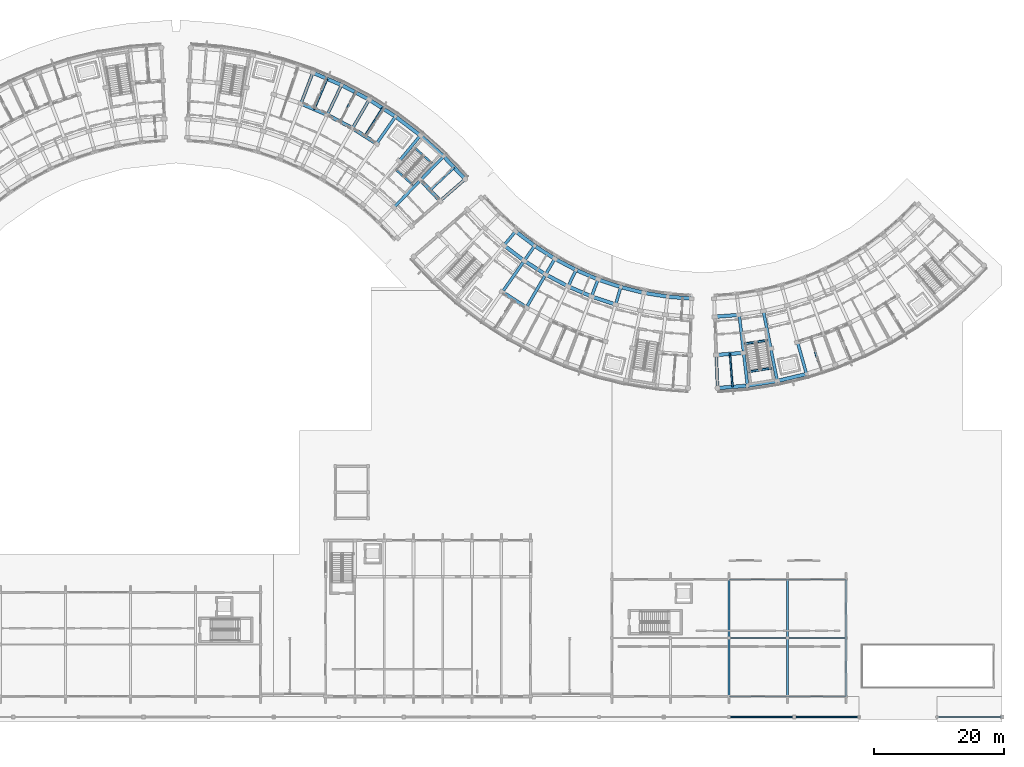
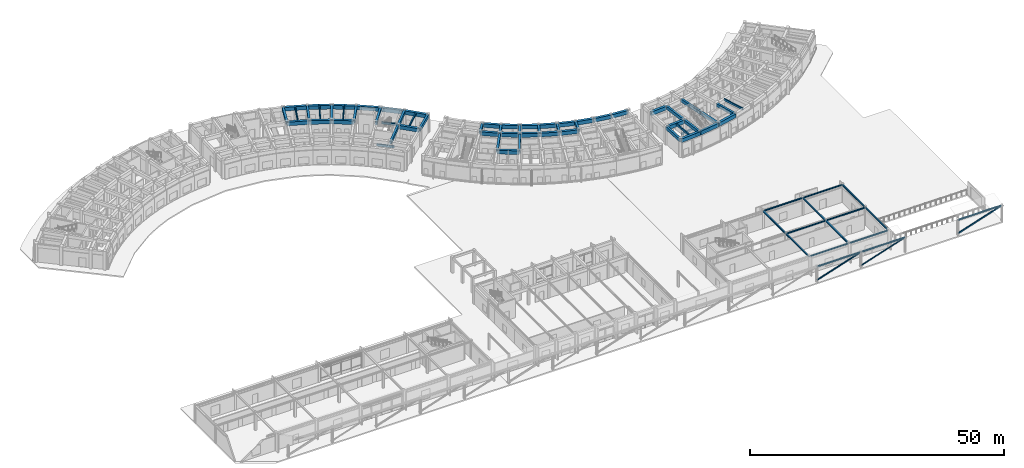
# One storey, part 18 of 61: 76 beams, 3 members.
"""IFC4 building model written with IfcOpenShell, lengths in metres."""

from ifc_helpers import new_model, si_unit, direction, frame, origin, origin_2d, place, context, subcontext, project, spatial, rectangle, hollow_rectangle, hollow_circle, i_section, extrude, material, material_profile, profile_set, type_object, element, save


model = new_model("IFC4")

# Units and contexts
model_context = context("Model", 3, precision=1e-05, world=origin(), true_north=direction((0.0, 1.0)))
body_context = subcontext(model_context, "Body", "Model", "MODEL_VIEW")
ifc_project = project(units=[si_unit("LENGTHUNIT", "METRE"), si_unit("AREAUNIT", "SQUARE_METRE"), si_unit("VOLUMEUNIT", "CUBIC_METRE"), si_unit("PLANEANGLEUNIT", "RADIAN"), si_unit("MASSUNIT", "GRAM", prefix="KILO")], contexts=[model_context])

# Site, building, storey
site_placement = place(None, origin())
site = spatial("IfcSite", under=ifc_project, at=site_placement, CompositionType="ELEMENT")
building_placement = place(site_placement, origin())
building = spatial("IfcBuilding", under=site, at=building_placement, Name="Zimvara Arc Housing Community", CompositionType="ELEMENT")
storey_placement = place(building_placement, origin())
storey = spatial("IfcBuildingStorey", under=building, at=storey_placement, Name="L00", CompositionType="ELEMENT", Elevation=0.0)

# Beams
ifc_material_1 = material(Name="Concrete C40/50", Category="concrete")
ifc_material_profile_1 = material_profile(ifc_material_1, rectangle(XDim=0.25, YDim=0.449951171875, at=origin_2d()), Name="RC 250x450")
ifc_profile_set_1 = profile_set([ifc_material_profile_1], Name="Concrete C40/50")
beam_type_1 = type_object("IfcBeamType", Name="BM-RC-250x450", PredefinedType="JOIST", material=ifc_profile_set_1)
beam_1_placement = place(storey_placement, frame((66.22802734375, 93.885986328125, 4.034912109375), z_axis=(0.394929109608, 0.918711596958, 0.0), x_axis=(-0.918711596958, 0.394929109608, 0.0)))
element("IfcBeam", 1, at=beam_1_placement, inside=storey, type_object=beam_type_1, Name="bm:blkB:L00:joist:b4", PredefinedType="JOIST", context=body_context, shape_type="SweptSolid", body=[
    extrude(rectangle(XDim=0.25, YDim=0.449951171875, at=origin_2d()), origin(), (0.0, 0.0, 1.0), 5.075927734375),
])
for number, where, z_axis, x_axis, name in (
    (2, (70.186767578125, 91.9892578125, 4.034912109375), (0.46853732736, 0.883443701019, 0.0), (-0.883443701019, 0.46853732736, 0.0), "bm:blkB:L00:joist:b5"),
    (3, (73.9775390625, 89.776123046875, 4.034912109375), (0.539052331508, 0.842272274206, 0.0), (-0.842272274206, 0.539052331508, 0.0), "bm:blkB:L00:joist:b6"),
):
    element("IfcBeam", number, at=place(storey_placement, frame(where, z_axis=z_axis, x_axis=x_axis)), inside=storey, type_object=beam_type_1, Name=name, PredefinedType="JOIST", context=body_context, shape_type="SweptSolid", body=[
        extrude(rectangle(XDim=0.25, YDim=0.449951171875, at=origin_2d()), origin(), (0.0, 0.0, 1.0), 5.07568359375),
    ])
beam_2_placement = place(storey_placement, frame((84.095703125, 81.3935546875, 4.034912109375), z_axis=(0.727299876429, 0.686319815936, 0.0), x_axis=(-0.686319815936, 0.727299876429, 0.0)))
element("IfcBeam", 4, at=beam_2_placement, inside=storey, type_object=beam_type_1, Name="bm:blkB:L00:joist:b9", PredefinedType="JOIST", context=body_context, shape_type="SweptSolid", body=[
    extrude(rectangle(XDim=0.25, YDim=0.449951171875, at=origin_2d()), origin(), (0.0, 0.0, 1.0), 5.075927734375),
])
beam_3_placement = place(storey_placement, frame((130.151123046875, 56.263427734375, 4.034912109375), z_axis=(0.077579175615, -0.996986194243, 0.0), x_axis=(0.996986194243, 0.077579175615, 0.0)))
element("IfcBeam", 5, at=beam_3_placement, inside=storey, type_object=beam_type_1, Name="bm:blkD:L00:joist:b0", PredefinedType="JOIST", context=body_context, shape_type="SweptSolid", body=[
    extrude(rectangle(XDim=0.25, YDim=0.449951171875, at=origin_2d()), origin(), (0.0, 0.0, 1.0), 5.076171875),
])
beam_4_placement = place(storey_placement, frame((142.547607421875, 58.718017578125, 4.034912109375), z_axis=(0.308208278328, -0.951318904033, 0.0), x_axis=(0.951318904033, 0.308208278328, 0.0)))
element("IfcBeam", 6, at=beam_4_placement, inside=storey, type_object=beam_type_1, Name="bm:blkD:L00:joist:b3", PredefinedType="JOIST", context=body_context, shape_type="SweptSolid", body=[
    extrude(rectangle(XDim=0.25, YDim=0.449951171875, at=origin_2d()), origin(), (0.0, 0.0, 1.0), 5.075927734375),
])
ifc_material_2 = material(Name="Concrete C40/50", Category="concrete")
ifc_material_profile_2 = material_profile(ifc_material_2, rectangle(XDim=0.300048828125, YDim=0.5, at=origin_2d()), Name="RC 300x500")
ifc_profile_set_2 = profile_set([ifc_material_profile_2], Name="Concrete C40/50")
beam_type_2 = type_object("IfcBeamType", Name="BM-RC-300x500", PredefinedType="BEAM", material=ifc_profile_set_2)
for number, where, z_axis, x_axis, name in (
    (7, (81.375732421875, 82.259033203125, -0.25), (-0.743362151162, 0.668889162881, 0.0), (-0.668889162881, -0.743362151162, 0.0), "bm:stair_trim:ST-B2:L00:near"),
    (8, (84.353515625, 85.568603515625, 2.0), (-0.743362151162, 0.668889162881, 0.0), (-0.668889162881, -0.743362151162, 0.0), "bm:stair_trim:ST-B2:L00:mid"),
    (9, (132.36865234375, 57.8203125, -0.25), (0.987823881982, 0.155576277709, 0.0), (-0.155576277709, 0.987823881982, 0.0), "bm:stair_trim:ST-D1:L00:near"),
    (10, (133.0439453125, 53.533203125, 2.0), (0.987823881982, 0.155576277709, 0.0), (-0.155576277709, 0.987823881982, 0.0), "bm:stair_trim:ST-D1:L00:mid"),
):
    element("IfcBeam", number, at=place(storey_placement, frame(where, z_axis=z_axis, x_axis=x_axis)), inside=storey, type_object=beam_type_2, Name=name, PredefinedType="BEAM", context=body_context, shape_type="SweptSolid", body=[
        extrude(rectangle(XDim=0.300048828125, YDim=0.5, at=origin_2d()), origin(), (0.0, 0.0, 1.0), 3.570068359375),
    ])
ifc_material_3 = material(Name="Concrete C40/50", Category="concrete")
ifc_material_profile_3 = material_profile(ifc_material_3, rectangle(XDim=0.449951171875, YDim=0.75, at=origin_2d()), Name="RC 450x750")
ifc_profile_set_3 = profile_set([ifc_material_profile_3], Name="Concrete C40/50")
beam_type_3 = type_object("IfcBeamType", Name="BM-RC-450x750", PredefinedType="BEAM", material=ifc_profile_set_3)
for number, where, z_axis, x_axis, name in (
    (11, (64.2099609375, 94.75341796875, 3.885009765625), (0.357078271386, 0.934074466038, 0.0), (-0.934074466038, 0.357078271386, 0.0), "bm:blkB:L00:rad:b4:r23"),
    (12, (68.24609375, 93.0185546875, 3.885009765625), (0.432098194978, 0.901826563091, 0.0), (-0.901826563091, 0.432098194978, 0.0), "bm:blkB:L00:rad:b5:r23"),
):
    element("IfcBeam", number, at=place(storey_placement, frame(where, z_axis=z_axis, x_axis=x_axis)), inside=storey, type_object=beam_type_3, Name=name, PredefinedType="BEAM", context=body_context, shape_type="SweptSolid", body=[
        extrude(rectangle(XDim=0.449951171875, YDim=0.75, at=origin_2d()), origin(), (0.0, 0.0, 1.0), 5.080078125),
    ])
beam_5_placement = place(storey_placement, frame((72.12744140625, 90.960205078125, 3.885009765625), z_axis=(0.504196701544, 0.863588840915, 0.0), x_axis=(-0.863588840915, 0.504196701544, 0.0)))
element("IfcBeam", 13, at=beam_5_placement, inside=storey, type_object=beam_type_3, Name="bm:blkB:L00:rad:b6:r23", PredefinedType="BEAM", context=body_context, shape_type="SweptSolid", body=[
    extrude(rectangle(XDim=0.449951171875, YDim=0.75, at=origin_2d()), origin(), (0.0, 0.0, 1.0), 5.079833984375),
])
for number, where, z_axis, x_axis, name in (
    (14, (75.82763671875, 88.591796875, 3.885009765625), (0.573007469479, 0.819550144848, 0.0), (-0.819550144848, 0.573007469479, 0.0), "bm:blkB:L00:rad:b7:r23"),
    (15, (79.322265625, 85.9296875, 3.885009765625), (0.637983669165, 0.77004989311, 0.0), (-0.77004989311, 0.637983669165, 0.0), "bm:blkB:L00:rad:b8:r23"),
):
    element("IfcBeam", number, at=place(storey_placement, frame(where, z_axis=z_axis, x_axis=x_axis)), inside=storey, type_object=beam_type_3, Name=name, PredefinedType="BEAM", context=body_context, shape_type="SweptSolid", body=[
        extrude(rectangle(XDim=0.449951171875, YDim=0.75, at=origin_2d()), origin(), (0.0, 0.0, 1.0), 5.080078125),
    ])
beam_6_placement = place(storey_placement, frame((78.47998046875, 78.784423828125, 3.885009765625), z_axis=(0.698669844288, 0.715444231707, 0.0), x_axis=(-0.715444231707, 0.698669844288, 0.0)))
element("IfcBeam", 16, at=beam_6_placement, inside=storey, type_object=beam_type_3, Name="bm:blkB:L00:rad:b9:r12", PredefinedType="BEAM", context=body_context, shape_type="SweptSolid", body=[
    extrude(rectangle(XDim=0.449951171875, YDim=0.75, at=origin_2d()), origin(), (0.0, 0.0, 1.0), 5.8798828125),
])
for number, where, z_axis, x_axis, name in (
    (17, (82.588134765625, 82.9912109375, 3.885009765625), (0.698670885014, 0.71544321538, 0.0), (-0.71544321538, 0.698670885014, 0.0), "bm:blkB:L00:rad:b9:r23"),
    (18, (85.603271484375, 79.7958984375, 3.885009765625), (0.754716217499, 0.656051393599, 0.0), (-0.656051393599, 0.754716217499, 0.0), "bm:blkB:L00:rad:b10:r23"),
):
    element("IfcBeam", number, at=place(storey_placement, frame(where, z_axis=z_axis, x_axis=x_axis)), inside=storey, type_object=beam_type_3, Name=name, PredefinedType="BEAM", context=body_context, shape_type="SweptSolid", body=[
        extrude(rectangle(XDim=0.449951171875, YDim=0.75, at=origin_2d()), origin(), (0.0, 0.0, 1.0), 5.080078125),
    ])
beam_7_placement = place(storey_placement, frame((97.195068359375, 75.114501953125, 3.885009765625), z_axis=(-0.637917412223, -0.770104781951, 0.0), x_axis=(0.770104781951, -0.637917412223, 0.0)))
element("IfcBeam", 19, at=beam_7_placement, inside=storey, type_object=beam_type_3, Name="bm:blkC:L00:rad:b2:r01", PredefinedType="BEAM", context=body_context, shape_type="SweptSolid", body=[
    extrude(rectangle(XDim=0.449951171875, YDim=0.75, at=origin_2d()), origin(), (0.0, 0.0, 1.0), 2.800048828125),
])
beam_8_placement = place(storey_placement, frame((100.1259765625, 72.8818359375, 3.885009765625), z_axis=(-0.57297651105, -0.819571789281, 0.0), x_axis=(0.819571789281, -0.57297651105, 0.0)))
element("IfcBeam", 20, at=beam_8_placement, inside=storey, type_object=beam_type_3, Name="bm:blkC:L00:rad:b3:r01", PredefinedType="BEAM", context=body_context, shape_type="SweptSolid", body=[
    extrude(rectangle(XDim=0.449951171875, YDim=0.75, at=origin_2d()), origin(), (0.0, 0.0, 1.0), 2.7998046875),
])
beam_9_placement = place(storey_placement, frame((98.521728515625, 70.587158203125, 3.885009765625), z_axis=(-0.57300805165, -0.81954973781, 0.0), x_axis=(0.81954973781, -0.57300805165, 0.0)))
element("IfcBeam", 21, at=beam_9_placement, inside=storey, type_object=beam_type_3, Name="bm:blkC:L00:rad:b3:r12", PredefinedType="BEAM", context=body_context, shape_type="SweptSolid", body=[
    extrude(rectangle(XDim=0.449951171875, YDim=0.75, at=origin_2d()), origin(), (0.0, 0.0, 1.0), 5.880126953125),
])
beam_10_placement = place(storey_placement, frame((103.229248046875, 70.895751953125, 3.885009765625), z_axis=(-0.504201666262, -0.8635859423, 0.0), x_axis=(0.8635859423, -0.504201666262, 0.0)))
element("IfcBeam", 22, at=beam_10_placement, inside=storey, type_object=beam_type_3, Name="bm:blkC:L00:rad:b4:r01", PredefinedType="BEAM", context=body_context, shape_type="SweptSolid", body=[
    extrude(rectangle(XDim=0.449951171875, YDim=0.75, at=origin_2d()), origin(), (0.0, 0.0, 1.0), 2.80029296875),
])
beam_11_placement = place(storey_placement, frame((101.8173828125, 68.4775390625, 3.885009765625), z_axis=(-0.504237574462, -0.863564976421, 0.0), x_axis=(0.863564976421, -0.504237574462, 0.0)))
element("IfcBeam", 23, at=beam_11_placement, inside=storey, type_object=beam_type_3, Name="bm:blkC:L00:rad:b4:r12", PredefinedType="BEAM", context=body_context, shape_type="SweptSolid", body=[
    extrude(rectangle(XDim=0.449951171875, YDim=0.75, at=origin_2d()), origin(), (0.0, 0.0, 1.0), 5.8798828125),
])
for number, where, z_axis, x_axis, name in (
    (24, (106.484375, 69.16943359375, 3.885009765625), (-0.432118703138, -0.901816736593, 0.0), (0.901816736593, -0.432118703138, 0.0), "bm:blkC:L00:rad:b5:r01"),
    (25, (109.869384765625, 67.71435546875, 3.885009765625), (-0.357126279724, -0.934056111982, 0.0), (0.934056111982, -0.357126279724, 0.0), "bm:blkC:L00:rad:b6:r01"),
    (26, (113.361572265625, 66.540283203125, 3.885009765625), (-0.279635015525, -0.960106378529, 0.0), (0.960106378529, -0.279635015525, 0.0), "bm:blkC:L00:rad:b7:r01"),
):
    element("IfcBeam", number, at=place(storey_placement, frame(where, z_axis=z_axis, x_axis=x_axis)), inside=storey, type_object=beam_type_3, Name=name, PredefinedType="BEAM", context=body_context, shape_type="SweptSolid", body=[
        extrude(rectangle(XDim=0.449951171875, YDim=0.75, at=origin_2d()), origin(), (0.0, 0.0, 1.0), 2.800048828125),
    ])
beam_12_placement = place(storey_placement, frame((128.045166015625, 56.099609375, 3.885009765625), z_axis=(0.038399898954, -0.999262451892, 0.0), x_axis=(0.999262451892, 0.038399898954, 0.0)))
element("IfcBeam", 27, at=beam_12_placement, inside=storey, type_object=beam_type_3, Name="bm:blkD:L00:rad:b0:r23", PredefinedType="BEAM", context=body_context, shape_type="SweptSolid", body=[
    extrude(rectangle(XDim=0.449951171875, YDim=0.75, at=origin_2d()), origin(), (0.0, 0.0, 1.0), 5.079833984375),
])
beam_13_placement = place(storey_placement, frame((131.57080078125, 62.267333984375, 3.885009765625), z_axis=(0.116672613124, -0.993170429154, 0.0), x_axis=(0.993170429154, 0.116672613124, 0.0)))
element("IfcBeam", 28, at=beam_13_placement, inside=storey, type_object=beam_type_3, Name="bm:blkD:L00:rad:b1:r12", PredefinedType="BEAM", context=body_context, shape_type="SweptSolid", body=[
    extrude(rectangle(XDim=0.449951171875, YDim=0.75, at=origin_2d()), origin(), (0.0, 0.0, 1.0), 5.8798828125),
])
beam_14_placement = place(storey_placement, frame((132.2568359375, 56.427490234375, 3.885009765625), z_axis=(0.116685098261, -0.993168962384, 0.0), x_axis=(0.993168962384, 0.116685098261, 0.0)))
element("IfcBeam", 29, at=beam_14_placement, inside=storey, type_object=beam_type_3, Name="bm:blkD:L00:rad:b1:r23", PredefinedType="BEAM", context=body_context, shape_type="SweptSolid", body=[
    extrude(rectangle(XDim=0.449951171875, YDim=0.75, at=origin_2d()), origin(), (0.0, 0.0, 1.0), 5.080078125),
])
beam_15_placement = place(storey_placement, frame((135.28759765625, 62.8525390625, 3.885009765625), z_axis=(0.194239306935, -0.980954174078, 0.0), x_axis=(0.980954174078, 0.194239306935, 0.0)))
element("IfcBeam", 30, at=beam_15_placement, inside=storey, type_object=beam_type_3, Name="bm:blkD:L00:rad:b2:r12", PredefinedType="BEAM", context=body_context, shape_type="SweptSolid", body=[
    extrude(rectangle(XDim=0.449951171875, YDim=0.75, at=origin_2d()), origin(), (0.0, 0.0, 1.0), 5.8798828125),
])
beam_16_placement = place(storey_placement, frame((136.4296875, 57.084716796875, 3.885009765625), z_axis=(0.194248925774, -0.980952269397, 0.0), x_axis=(0.980952269397, 0.194248925774, 0.0)))
element("IfcBeam", 31, at=beam_16_placement, inside=storey, type_object=beam_type_3, Name="bm:blkD:L00:rad:b2:r23", PredefinedType="BEAM", context=body_context, shape_type="SweptSolid", body=[
    extrude(rectangle(XDim=0.449951171875, YDim=0.75, at=origin_2d()), origin(), (0.0, 0.0, 1.0), 5.080078125),
])
beam_17_placement = place(storey_placement, frame((140.538330078125, 58.067138671875, 3.885009765625), z_axis=(0.270579949442, -0.962697507507, 0.0), x_axis=(0.962697507507, 0.270579949442, 0.0)))
element("IfcBeam", 32, at=beam_17_placement, inside=storey, type_object=beam_type_3, Name="bm:blkD:L00:rad:b3:r23", PredefinedType="BEAM", context=body_context, shape_type="SweptSolid", body=[
    extrude(rectangle(XDim=0.449951171875, YDim=0.75, at=origin_2d()), origin(), (0.0, 0.0, 1.0), 5.079833984375),
])
ifc_material_4 = material(Name="Concrete C40/50", Category="concrete")
ifc_material_profile_4 = material_profile(ifc_material_4, rectangle(XDim=0.56005859375, YDim=0.8798828125, at=origin_2d()), Name="RC 560x880")
ifc_profile_set_4 = profile_set([ifc_material_profile_4], Name="Concrete C40/50")
beam_type_4 = type_object("IfcBeamType", Name="BM-RC-560x880", PredefinedType="BEAM", material=ifc_profile_set_4)
for number, where, z_axis, x_axis, name in (
    (33, (64.2099609375, 94.75341796875, 3.820068359375), (0.918724840088, -0.394898301093, 0.0), (0.394898301093, 0.918724840088, 0.0), "bm:blkB:L00:chord:r2:b4"),
    (34, (68.24609375, 93.0185546875, 3.820068359375), (0.883456526058, -0.468513144496, 0.0), (0.468513144496, 0.883456526058, 0.0), "bm:blkB:L00:chord:r2:b5"),
    (35, (72.12744140625, 90.960205078125, 3.820068359375), (0.842242131326, -0.539099427025, 0.0), (0.539099427025, 0.842242131326, 0.0), "bm:blkB:L00:chord:r2:b6"),
    (36, (82.588134765625, 82.9912109375, 3.820068359375), (0.686303637813, -0.727315142648, 0.0), (0.727315142648, 0.686303637813, 0.0), "bm:blkB:L00:chord:r2:b9"),
):
    element("IfcBeam", number, at=place(storey_placement, frame(where, z_axis=z_axis, x_axis=x_axis)), inside=storey, type_object=beam_type_4, Name=name, PredefinedType="BEAM", context=body_context, shape_type="SweptSolid", body=[
        extrude(rectangle(XDim=0.56005859375, YDim=0.8798828125, at=origin_2d()), origin(), (0.0, 0.0, 1.0), 4.393310546875),
    ])
beam_18_placement = place(storey_placement, frame((66.02392578125, 99.49853515625, 3.820068359375), z_axis=(0.918724276228, -0.394899612901, 0.0), x_axis=(0.394899612901, 0.918724276228, 0.0)))
element("IfcBeam", 37, at=beam_18_placement, inside=storey, type_object=beam_type_4, Name="bm:blkB:L00:chord:r3:b4", PredefinedType="BEAM", context=body_context, shape_type="SweptSolid", body=[
    extrude(rectangle(XDim=0.56005859375, YDim=0.8798828125, at=origin_2d()), origin(), (0.0, 0.0, 1.0), 4.80810546875),
])
beam_19_placement = place(storey_placement, frame((70.441162109375, 97.599853515625, 3.820068359375), z_axis=(0.883445542299, -0.468533855546, 0.0), x_axis=(0.468533855546, 0.883445542299, 0.0)))
element("IfcBeam", 38, at=beam_19_placement, inside=storey, type_object=beam_type_4, Name="bm:blkB:L00:chord:r3:b5", PredefinedType="BEAM", context=body_context, shape_type="SweptSolid", body=[
    extrude(rectangle(XDim=0.56005859375, YDim=0.8798828125, at=origin_2d()), origin(), (0.0, 0.0, 1.0), 4.807861328125),
])
beam_20_placement = place(storey_placement, frame((74.688720703125, 95.34716796875, 3.820068359375), z_axis=(0.842255724028, -0.539078190379, 0.0), x_axis=(0.539078190379, 0.842255724028, 0.0)))
element("IfcBeam", 39, at=beam_20_placement, inside=storey, type_object=beam_type_4, Name="bm:blkB:L00:chord:r3:b6", PredefinedType="BEAM", context=body_context, shape_type="SweptSolid", body=[
    extrude(rectangle(XDim=0.56005859375, YDim=0.8798828125, at=origin_2d()), origin(), (0.0, 0.0, 1.0), 4.808349609375),
])
beam_21_placement = place(storey_placement, frame((78.738525390625, 92.755126953125, 3.820068359375), z_axis=(0.795480673672, -0.605978958228, 0.0), x_axis=(0.605978958228, 0.795480673672, 0.0)))
element("IfcBeam", 40, at=beam_21_placement, inside=storey, type_object=beam_type_4, Name="bm:blkB:L00:chord:r3:b7", PredefinedType="BEAM", context=body_context, shape_type="SweptSolid", body=[
    extrude(rectangle(XDim=0.56005859375, YDim=0.8798828125, at=origin_2d()), origin(), (0.0, 0.0, 1.0), 4.80810546875),
])
beam_22_placement = place(storey_placement, frame((82.563232421875, 89.841552734375, 3.820068359375), z_axis=(0.743395133402, -0.668852506637, 0.0), x_axis=(0.668852506637, 0.743395133402, 0.0)))
element("IfcBeam", 41, at=beam_22_placement, inside=storey, type_object=beam_type_4, Name="bm:blkB:L00:chord:r3:b8", PredefinedType="BEAM", context=body_context, shape_type="SweptSolid", body=[
    extrude(rectangle(XDim=0.56005859375, YDim=0.8798828125, at=origin_2d()), origin(), (0.0, 0.0, 1.0), 4.807861328125),
])
beam_23_placement = place(storey_placement, frame((86.137451171875, 86.625732421875, 3.820068359375), z_axis=(0.6862954451, -0.727322873307, 0.0), x_axis=(0.727322873307, 0.6862954451, 0.0)))
element("IfcBeam", 42, at=beam_23_placement, inside=storey, type_object=beam_type_4, Name="bm:blkB:L00:chord:r3:b9", PredefinedType="BEAM", context=body_context, shape_type="SweptSolid", body=[
    extrude(rectangle(XDim=0.56005859375, YDim=0.8798828125, at=origin_2d()), origin(), (0.0, 0.0, 1.0), 4.80810546875),
])
for number, where, z_axis, x_axis, name in (
    (43, (97.195068359375, 75.114501953125, 3.820068359375), (0.795484955371, -0.605973337515, 0.0), (0.605973337515, 0.795484955371, 0.0), "bm:blkC:L00:chord:r0:b2"),
    (44, (100.1259765625, 72.8818359375, 3.820068359375), (0.842272604079, -0.539051816079, 0.0), (0.539051816079, 0.842272604079, 0.0), "bm:blkC:L00:chord:r0:b3"),
):
    element("IfcBeam", number, at=place(storey_placement, frame(where, z_axis=z_axis, x_axis=x_axis)), inside=storey, type_object=beam_type_4, Name=name, PredefinedType="BEAM", context=body_context, shape_type="SweptSolid", body=[
        extrude(rectangle(XDim=0.56005859375, YDim=0.8798828125, at=origin_2d()), origin(), (0.0, 0.0, 1.0), 3.684326171875),
    ])
for number, where, z_axis, x_axis, name in (
    (45, (103.229248046875, 70.895751953125, 3.820068359375), (0.883449220086, -0.468526920815, 0.0), (0.468526920815, 0.883449220086, 0.0), "bm:blkC:L00:chord:r0:b4"),
    (46, (106.484375, 69.16943359375, 3.820068359375), (0.918716071386, -0.394918700718, 0.0), (0.394918700718, 0.918716071386, 0.0), "bm:blkC:L00:chord:r0:b5"),
):
    element("IfcBeam", number, at=place(storey_placement, frame(where, z_axis=z_axis, x_axis=x_axis)), inside=storey, type_object=beam_type_4, Name=name, PredefinedType="BEAM", context=body_context, shape_type="SweptSolid", body=[
        extrude(rectangle(XDim=0.56005859375, YDim=0.8798828125, at=origin_2d()), origin(), (0.0, 0.0, 1.0), 3.6845703125),
    ])
beam_24_placement = place(storey_placement, frame((109.869384765625, 67.71435546875, 3.820068359375), z_axis=(0.947865078275, -0.31867192124, 0.0), x_axis=(0.31867192124, 0.947865078275, 0.0)))
element("IfcBeam", 47, at=beam_24_placement, inside=storey, type_object=beam_type_4, Name="bm:blkC:L00:chord:r0:b6", PredefinedType="BEAM", context=body_context, shape_type="SweptSolid", body=[
    extrude(rectangle(XDim=0.56005859375, YDim=0.8798828125, at=origin_2d()), origin(), (0.0, 0.0, 1.0), 3.684326171875),
])
beam_25_placement = place(storey_placement, frame((113.361572265625, 66.540283203125, 3.820068359375), z_axis=(0.970724337693, -0.240196295163, 0.0), x_axis=(0.240196295163, 0.970724337693, 0.0)))
element("IfcBeam", 48, at=beam_25_placement, inside=storey, type_object=beam_type_4, Name="bm:blkC:L00:chord:r0:b7", PredefinedType="BEAM", context=body_context, shape_type="SweptSolid", body=[
    extrude(rectangle(XDim=0.56005859375, YDim=0.8798828125, at=origin_2d()), origin(), (0.0, 0.0, 1.0), 3.6845703125),
])
beam_26_placement = place(storey_placement, frame((116.938232421875, 65.6552734375, 3.820068359375), z_axis=(0.987079996944, -0.160228211104, 0.0), x_axis=(0.160228211104, 0.987079996944, 0.0)))
element("IfcBeam", 49, at=beam_26_placement, inside=storey, type_object=beam_type_4, Name="bm:blkC:L00:chord:r0:b8", PredefinedType="BEAM", context=body_context, shape_type="SweptSolid", body=[
    extrude(rectangle(XDim=0.56005859375, YDim=0.8798828125, at=origin_2d()), origin(), (0.0, 0.0, 1.0), 3.684326171875),
])
beam_27_placement = place(storey_placement, frame((120.574951171875, 65.06494140625, 3.820068359375), z_axis=(0.996860413745, -0.079179009267, 0.0), x_axis=(0.079179009267, 0.996860413745, 0.0)))
element("IfcBeam", 50, at=beam_27_placement, inside=storey, type_object=beam_type_4, Name="bm:blkC:L00:chord:r0:b9", PredefinedType="BEAM", context=body_context, shape_type="SweptSolid", body=[
    extrude(rectangle(XDim=0.56005859375, YDim=0.8798828125, at=origin_2d()), origin(), (0.0, 0.0, 1.0), 3.6845703125),
])
for number, where, z_axis, x_axis, name in (
    (51, (95.408935546875, 72.958251953125, 3.820068359375), (0.795500462697, -0.605952979899, 0.0), (0.605952979899, 0.795500462697, 0.0), "bm:blkC:L00:chord:r1:b2"),
    (52, (98.521728515625, 70.587158203125, 3.820068359375), (0.842224940184, -0.53912628403, 0.0), (0.53912628403, 0.842224940184, 0.0), "bm:blkC:L00:chord:r1:b3"),
    (53, (101.8173828125, 68.4775390625, 3.820068359375), (0.883464449706, -0.468498202884, 0.0), (0.468498202884, 0.883464449706, 0.0), "bm:blkC:L00:chord:r1:b4"),
    (54, (105.2744140625, 66.644287109375, 3.820068359375), (0.918708805961, -0.394935602155, 0.0), (0.394935602155, 0.918708805961, 0.0), "bm:blkC:L00:chord:r1:b5"),
    (55, (108.869384765625, 65.098876953125, 3.820068359375), (0.947881689069, -0.31862250945, 0.0), (0.31862250945, 0.947881689069, 0.0), "bm:blkC:L00:chord:r1:b6"),
):
    element("IfcBeam", number, at=place(storey_placement, frame(where, z_axis=z_axis, x_axis=x_axis)), inside=storey, type_object=beam_type_4, Name=name, PredefinedType="BEAM", context=body_context, shape_type="SweptSolid", body=[
        extrude(rectangle(XDim=0.56005859375, YDim=0.8798828125, at=origin_2d()), origin(), (0.0, 0.0, 1.0), 3.9130859375),
    ])
beam_28_placement = place(storey_placement, frame((95.15234375, 65.76806640625, 3.820068359375), z_axis=(0.842267363538, -0.539060004376, 0.0), x_axis=(0.539060004376, 0.842267363538, 0.0)))
element("IfcBeam", 56, at=beam_28_placement, inside=storey, type_object=beam_type_4, Name="bm:blkC:L00:chord:r2:b3", PredefinedType="BEAM", context=body_context, shape_type="SweptSolid", body=[
    extrude(rectangle(XDim=0.56005859375, YDim=0.8798828125, at=origin_2d()), origin(), (0.0, 0.0, 1.0), 4.39306640625),
])
beam_29_placement = place(storey_placement, frame((127.819580078125, 61.975341796875, 3.820068359375), z_axis=(0.996984223393, 0.077604499263, 0.0), x_axis=(-0.077604499263, 0.996984223393, 0.0)))
element("IfcBeam", 57, at=beam_29_placement, inside=storey, type_object=beam_type_4, Name="bm:blkD:L00:chord:r1:b0", PredefinedType="BEAM", context=body_context, shape_type="SweptSolid", body=[
    extrude(rectangle(XDim=0.56005859375, YDim=0.8798828125, at=origin_2d()), origin(), (0.0, 0.0, 1.0), 3.762451171875),
])
beam_30_placement = place(storey_placement, frame((128.045166015625, 56.099609375, 3.820068359375), z_axis=(0.996983350574, 0.077615711543, 0.0), x_axis=(-0.077615711543, 0.996983350574, 0.0)))
element("IfcBeam", 58, at=beam_30_placement, inside=storey, type_object=beam_type_4, Name="bm:blkD:L00:chord:r2:b0", PredefinedType="BEAM", context=body_context, shape_type="SweptSolid", body=[
    extrude(rectangle(XDim=0.56005859375, YDim=0.8798828125, at=origin_2d()), origin(), (0.0, 0.0, 1.0), 4.224365234375),
])
for number, where, z_axis, x_axis, name in (
    (59, (128.240234375, 51.0234375, 3.820068359375), (0.996986694494, 0.077572746515, 0.0), (-0.077572746515, 0.996986694494, 0.0), "bm:blkD:L00:chord:r3:b0"),
    (60, (132.849609375, 51.382080078125, 3.820068359375), (0.987824544931, 0.155572068287, 0.0), (-0.155572068287, 0.987824544931, 0.0), "bm:blkD:L00:chord:r3:b1"),
):
    element("IfcBeam", number, at=place(storey_placement, frame(where, z_axis=z_axis, x_axis=x_axis)), inside=storey, type_object=beam_type_4, Name=name, PredefinedType="BEAM", context=body_context, shape_type="SweptSolid", body=[
        extrude(rectangle(XDim=0.56005859375, YDim=0.8798828125, at=origin_2d()), origin(), (0.0, 0.0, 1.0), 4.623291015625),
    ])
beam_31_placement = place(storey_placement, frame((137.41650390625, 52.101318359375, 3.820068359375), z_axis=(0.972567724572, 0.232619906974, 0.0), x_axis=(-0.232619906974, 0.972567724572, 0.0)))
element("IfcBeam", 61, at=beam_31_placement, inside=storey, type_object=beam_type_4, Name="bm:blkD:L00:chord:r3:b2", PredefinedType="BEAM", context=body_context, shape_type="SweptSolid", body=[
    extrude(rectangle(XDim=0.56005859375, YDim=0.8798828125, at=origin_2d()), origin(), (0.0, 0.0, 1.0), 4.623046875),
])
ifc_material_5 = material(Name="Steel S355", Category="steel")
ifc_material_profile_5 = material_profile(ifc_material_5, i_section(OverallWidth=0.280029296875, OverallDepth=0.27001953125, WebThickness=0.008056640625, FlangeThickness=0.012939453125, FilletRadius=0.02392578125, at=origin_2d()), Name="HEA 280")
ifc_profile_set_5 = profile_set([ifc_material_profile_5], Name="Steel S355")
beam_type_5 = type_object("IfcBeamType", Name="BM-ST-HEA280", PredefinedType="BEAM", material=ifc_profile_set_5)
for number, where, z_axis, x_axis, name in (
    (62, (130.0, 3.60009765625, 4.1298828125), (0.0, 1.0, 0.0), (-1.0, 0.0, 0.0), "bm:nursery:L00:y:x2:b0"),
    (63, (130.0, 12.60009765625, 4.1298828125), (0.0, 1.0, 0.0), (-1.0, 0.0, 0.0), "bm:nursery:L00:y:x2:b1"),
    (64, (139.0, 3.60009765625, 4.1298828125), (0.0, 1.0, 0.0), (-1.0, 0.0, 0.0), "bm:nursery:L00:y:x3:b0"),
    (65, (139.0, 12.60009765625, 4.1298828125), (0.0, 1.0, 0.0), (-1.0, 0.0, 0.0), "bm:nursery:L00:y:x3:b1"),
    (66, (148.0, 3.60009765625, 4.1298828125), (0.0, 1.0, 0.0), (-1.0, 0.0, 0.0), "bm:nursery:L00:y:x4:b0"),
    (67, (148.0, 12.60009765625, 4.1298828125), (0.0, 1.0, 0.0), (-1.0, 0.0, 0.0), "bm:nursery:L00:y:x4:b1"),
):
    element("IfcBeam", number, at=place(storey_placement, frame(where, z_axis=z_axis, x_axis=x_axis)), inside=storey, type_object=beam_type_5, Name=name, PredefinedType="BEAM", context=body_context, shape_type="SweptSolid", body=[
        extrude(i_section(OverallWidth=0.280029296875, OverallDepth=0.27001953125, WebThickness=0.008056640625, FlangeThickness=0.012939453125, FilletRadius=0.02392578125, at=origin_2d()), origin(), (0.0, 0.0, 1.0), 9.0),
    ])
ifc_material_6 = material(Name="Steel S355", Category="steel")
ifc_material_profile_6 = material_profile(ifc_material_6, i_section(OverallWidth=0.135009765625, OverallDepth=0.27001953125, WebThickness=0.006591796875, FlangeThickness=0.01025390625, FilletRadius=0.014892578125, at=origin_2d()), Name="IPE 270")
ifc_profile_set_6 = profile_set([ifc_material_profile_6], Name="Steel S355")
beam_type_6 = type_object("IfcBeamType", Name="BM-ST-IPE270", PredefinedType="JOIST", material=ifc_profile_set_6)
for number, where, z_axis, x_axis, name in (
    (68, (130.0, 0.449951171875, 3.60009765625), (1.0, 0.0, 0.0), (0.0, 1.0, 0.0), "bm:colonnade:L00:s1:130"),
    (69, (140.0, 0.449951171875, 3.60009765625), (1.0, 0.0, 0.0), (0.0, 1.0, 0.0), "bm:colonnade:L00:s1:140"),
    (70, (162.0, 0.449951171875, 3.60009765625), (1.0, 0.0, 0.0), (0.0, 1.0, 0.0), "bm:colonnade:L00:s2:162"),
):
    element("IfcBeam", number, at=place(storey_placement, frame(where, z_axis=z_axis, x_axis=x_axis)), inside=storey, type_object=beam_type_6, Name=name, PredefinedType="JOIST", context=body_context, shape_type="SweptSolid", body=[
        extrude(i_section(OverallWidth=0.135009765625, OverallDepth=0.27001953125, WebThickness=0.006591796875, FlangeThickness=0.01025390625, FilletRadius=0.014892578125, at=origin_2d()), origin(), (0.0, 0.0, 1.0), 10.0),
    ])
ifc_material_7 = material(Name="Steel S355", Category="steel")
ifc_material_profile_7 = material_profile(ifc_material_7, i_section(OverallWidth=0.159912109375, OverallDepth=0.330078125, WebThickness=0.007568359375, FlangeThickness=0.011474609375, FilletRadius=0.01806640625, at=origin_2d()), Name="IPE 330")
ifc_profile_set_7 = profile_set([ifc_material_profile_7], Name="Steel S355")
beam_type_7 = type_object("IfcBeamType", Name="BM-ST-IPE330", PredefinedType="BEAM", material=ifc_profile_set_7)
for number, where, z_axis, x_axis, name in (
    (71, (130.0, 3.60009765625, 4.10009765625), (1.0, 0.0, 0.0), (0.0, 1.0, 0.0), "bm:nursery:L00:x:y0:b2"),
    (72, (139.0, 3.60009765625, 4.10009765625), (1.0, 0.0, 0.0), (0.0, 1.0, 0.0), "bm:nursery:L00:x:y0:b3"),
    (73, (130.0, 12.60009765625, 4.10009765625), (1.0, 0.0, 0.0), (0.0, 1.0, 0.0), "bm:nursery:L00:x:y1:b2"),
    (74, (139.0, 12.60009765625, 4.10009765625), (1.0, 0.0, 0.0), (0.0, 1.0, 0.0), "bm:nursery:L00:x:y1:b3"),
    (75, (130.0, 21.60009765625, 4.10009765625), (1.0, 0.0, 0.0), (0.0, 1.0, 0.0), "bm:nursery:L00:x:y2:b2"),
    (76, (139.0, 21.60009765625, 4.10009765625), (1.0, 0.0, 0.0), (0.0, 1.0, 0.0), "bm:nursery:L00:x:y2:b3"),
):
    element("IfcBeam", number, at=place(storey_placement, frame(where, z_axis=z_axis, x_axis=x_axis)), inside=storey, type_object=beam_type_7, Name=name, PredefinedType="BEAM", context=body_context, shape_type="SweptSolid", body=[
        extrude(i_section(OverallWidth=0.159912109375, OverallDepth=0.330078125, WebThickness=0.007568359375, FlangeThickness=0.011474609375, FilletRadius=0.01806640625, at=origin_2d()), origin(), (0.0, 0.0, 1.0), 9.0),
    ])

# Members
ifc_material_8 = material(Name="Steel S355", Category="steel")
ifc_material_profile_8 = material_profile(ifc_material_8, hollow_rectangle(XDim=0.199951171875, YDim=0.300048828125, WallThickness=0.010009765625, InnerFilletRadius=0.010009765625, OuterFilletRadius=0.02001953125, at=origin_2d()), Name="RHS 300x200x10.0")
ifc_profile_set_8 = profile_set([ifc_material_profile_8], Name="Steel S355")
member_type_1 = type_object("IfcMemberType", Name="MB-CHORD-RHS300", PredefinedType="CHORD", material=ifc_profile_set_8)
member_1_placement = place(storey_placement, frame((162.0, 0.449951171875, 0.35009765625), z_axis=(0.951034068731, 0.0, 0.309086072338), x_axis=(0.0, 1.0, 0.0)))
element("IfcMember", 77, at=member_1_placement, inside=storey, type_object=member_type_1, Name="mb:colonnade:L00:s2:162", PredefinedType="CHORD", context=body_context, shape_type="SweptSolid", body=[
    extrude(hollow_rectangle(XDim=0.199951171875, YDim=0.300048828125, WallThickness=0.010009765625, InnerFilletRadius=0.010009765625, OuterFilletRadius=0.02001953125, at=origin_2d()), origin(), (0.0, 0.0, 1.0), 10.514892578125),
])
ifc_material_9 = material(Name="Steel S355", Category="steel")
ifc_material_profile_9 = material_profile(ifc_material_9, hollow_circle(Radius=0.136474609375, WallThickness=0.010009765625, at=origin_2d()), Name="CHS 273.0x10.0")
ifc_profile_set_9 = profile_set([ifc_material_profile_9], Name="Steel S355")
member_type_2 = type_object("IfcMemberType", Name="MB-STRUT-CHS273", PredefinedType="STRUT", material=ifc_profile_set_9)
member_2_placement = place(storey_placement, frame((140.0, 0.449951171875, 0.35009765625), z_axis=(0.951034068731, 0.0, 0.309086072338), x_axis=(0.0, 1.0, 0.0)))
element("IfcMember", 78, at=member_2_placement, inside=storey, type_object=member_type_2, Name="mb:colonnade:L00:s1:140", PredefinedType="STRUT", context=body_context, shape_type="SweptSolid", body=[
    extrude(hollow_circle(Radius=0.136474609375, WallThickness=0.010009765625, at=origin_2d()), origin(), (0.0, 0.0, 1.0), 10.514892578125),
])
ifc_material_10 = material(Name="Steel S355", Category="steel")
ifc_material_profile_10 = material_profile(ifc_material_10, hollow_circle(Radius=0.161865234375, WallThickness=0.010009765625, at=origin_2d()), Name="CHS 323.9x10.0")
ifc_profile_set_10 = profile_set([ifc_material_profile_10], Name="Steel S355")
member_type_3 = type_object("IfcMemberType", Name="MB-STRUT-CHS324", PredefinedType="STRUT", material=ifc_profile_set_10)
member_3_placement = place(storey_placement, frame((130.0, 0.449951171875, 0.35009765625), z_axis=(0.951034068731, 0.0, 0.309086072338), x_axis=(0.0, 1.0, 0.0)))
element("IfcMember", 79, at=member_3_placement, inside=storey, type_object=member_type_3, Name="mb:colonnade:L00:s1:130", PredefinedType="STRUT", context=body_context, shape_type="SweptSolid", body=[
    extrude(hollow_circle(Radius=0.161865234375, WallThickness=0.010009765625, at=origin_2d()), origin(), (0.0, 0.0, 1.0), 10.514892578125),
])

save(model, "model.ifc")
